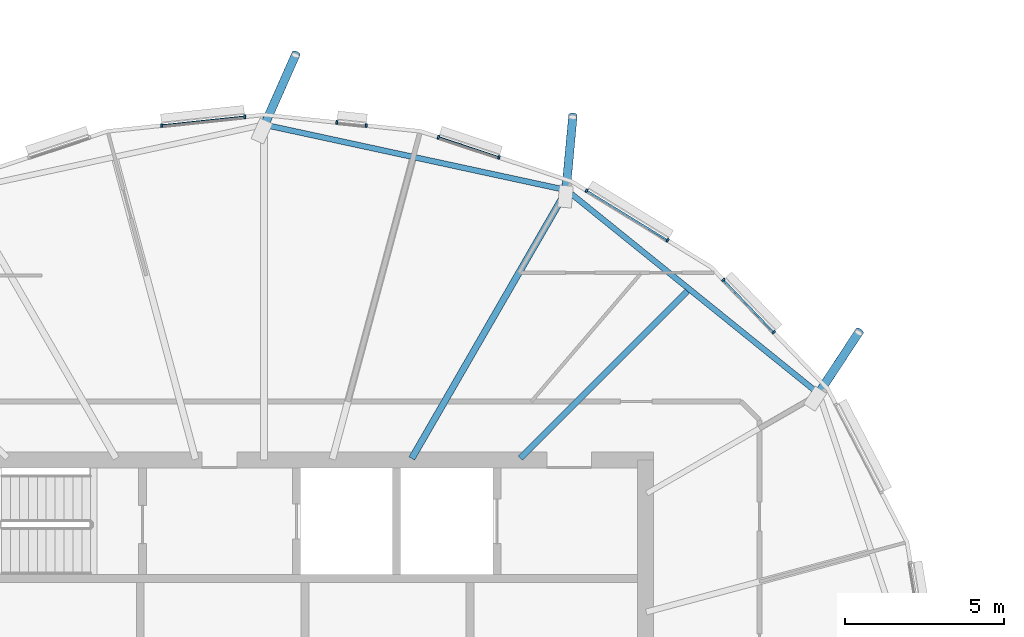
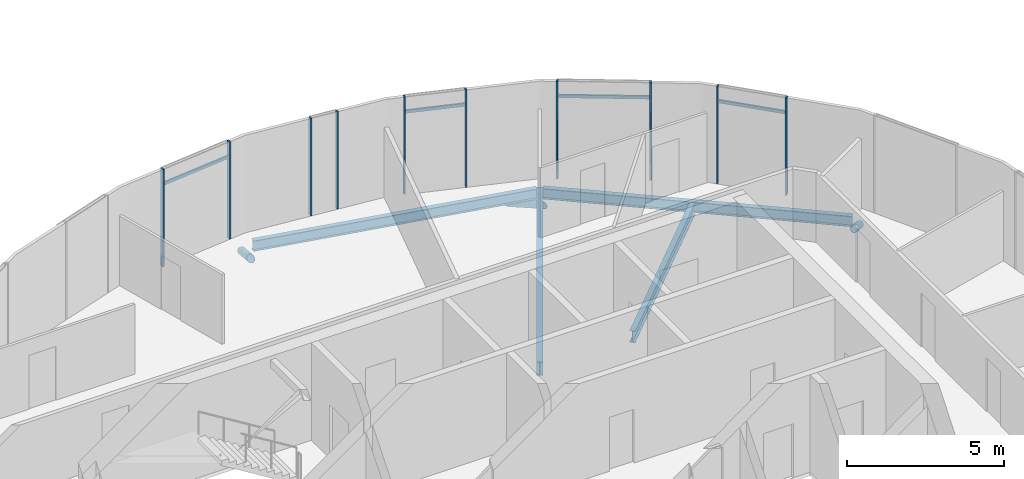
# One storey, part 8 of 41: 17 members, 4 beams, 1 element without a shape of its own.
"""IFC4 building model written with IfcOpenShell, lengths in metres."""

from ifc_helpers import new_model, si_unit, direction, frame, origin, origin_2d, place, context, subcontext, project, spatial, rectangle, hollow_circle, i_section, extrude, clip, halfspace, material, material_profile, profile_set, type_object, element, aggregate, save


model = new_model("IFC4")

# Units and contexts
model_context = context("Model", 3, precision=1e-05, world=origin(), true_north=direction((0.0, 1.0)))
body_context = subcontext(model_context, "Body", "Model", "MODEL_VIEW")
ifc_project = project(units=[si_unit("LENGTHUNIT", "METRE"), si_unit("AREAUNIT", "SQUARE_METRE"), si_unit("VOLUMEUNIT", "CUBIC_METRE"), si_unit("PLANEANGLEUNIT", "RADIAN"), si_unit("MASSUNIT", "GRAM", prefix="KILO")], contexts=[model_context])

# Site, building, storey
site_placement = place(None, origin())
site = spatial("IfcSite", under=ifc_project, at=site_placement, CompositionType="ELEMENT")
building_placement = place(site_placement, origin())
building = spatial("IfcBuilding", under=site, at=building_placement, Name="Rimbun Link Towers", CompositionType="ELEMENT")
storey_placement = place(building_placement, frame((0.0, 0.0, 210.5)))
storey = spatial("IfcBuildingStorey", under=building, at=storey_placement, Name="L51", CompositionType="ELEMENT", Elevation=210.5)

# Curtain wall, members
ifc_material_1 = material(Name="Aluminium 6063-T6 and low-iron glass", Category="aluminium")
curtain_wall_type = type_object("IfcCurtainWallType", Name="CW1-Z4 unitised vision wall (zone 4)", PredefinedType="NOTDEFINED", material=ifc_material_1)
curtain_wall_placement = place(storey_placement, origin())
curtain_wall = element("IfcCurtainWall", 1, at=curtain_wall_placement, inside=storey, type_object=curtain_wall_type, Name="CW1 L51 T1", PredefinedType="NOTDEFINED")
ifc_material_2 = material(Name="Aluminium 6063-T6", Category="aluminium")
ifc_material_profile_1 = material_profile(ifc_material_2, rectangle(XDim=0.1201171875, YDim=0.06005859375, at=origin_2d()), Name="MULLION 60X120")
ifc_profile_set_1 = profile_set([ifc_material_profile_1], Name="Aluminium 6063-T6")
member_type_1 = type_object("IfcMemberType", Name="CW1 mullion 60X120", PredefinedType="MULLION", material=ifc_profile_set_1)
member_1_placement = place(storey_placement, frame((-17.299560546875, 13.6708984375, 0.0), z_axis=(0.0, 0.0, 1.0), x_axis=(0.721846446019, 0.692053255443, 0.0)))
member_1 = element("IfcMember", 2, at=member_1_placement, type_object=member_type_1, Name="CW1 mullion", PredefinedType="MULLION", context=body_context, shape_type="SweptSolid", body=[
    extrude(rectangle(XDim=0.1201171875, YDim=0.06005859375, at=origin_2d()), origin(), (0.0, 0.0, 1.0), 3.800048828125),
])
member_2_placement = place(storey_placement, frame((-15.71728515625, 12.0205078125, 0.0), z_axis=(0.0, 0.0, 1.0), x_axis=(0.721846446019, 0.692053255443, 0.0)))
member_2 = element("IfcMember", 3, at=member_2_placement, type_object=member_type_1, Name="CW1 mullion", PredefinedType="MULLION", context=body_context, shape_type="SweptSolid", body=[
    extrude(rectangle(XDim=0.1201171875, YDim=0.06005859375, at=origin_2d()), origin(), (0.0, 0.0, 1.0), 3.800048828125),
])
member_3_placement = place(storey_placement, frame((-21.60009765625, 16.47705078125, 0.0), z_axis=(0.0, 0.0, 1.0), x_axis=(0.523242195727, 0.852184020392, 0.0)))
member_3 = element("IfcMember", 4, at=member_3_placement, type_object=member_type_1, Name="CW1 mullion", PredefinedType="MULLION", context=body_context, shape_type="SweptSolid", body=[
    extrude(rectangle(XDim=0.1201171875, YDim=0.06005859375, at=origin_2d()), origin(), (0.0, 0.0, 1.0), 3.800048828125),
])
member_4_placement = place(storey_placement, frame((-19.0556640625, 14.914794921875, 0.0), z_axis=(0.0, 0.0, 1.0), x_axis=(0.523242195727, 0.852184020392, 0.0)))
member_4 = element("IfcMember", 5, at=member_4_placement, type_object=member_type_1, Name="CW1 mullion", PredefinedType="MULLION", context=body_context, shape_type="SweptSolid", body=[
    extrude(rectangle(XDim=0.1201171875, YDim=0.06005859375, at=origin_2d()), origin(), (0.0, 0.0, 1.0), 3.800048828125),
])
member_5_placement = place(storey_placement, frame((-26.261474609375, 18.156005859375, 0.0), z_axis=(0.0, 0.0, 1.0), x_axis=(0.314578449635, 0.949231478105, 0.0)))
member_5 = element("IfcMember", 6, at=member_5_placement, type_object=member_type_1, Name="CW1 mullion", PredefinedType="MULLION", context=body_context, shape_type="SweptSolid", body=[
    extrude(rectangle(XDim=0.1201171875, YDim=0.06005859375, at=origin_2d()), origin(), (0.0, 0.0, 1.0), 3.800048828125),
])
member_6_placement = place(storey_placement, frame((-24.359619140625, 17.525634765625, 0.0), z_axis=(0.0, 0.0, 1.0), x_axis=(0.314578449635, 0.949231478105, 0.0)))
member_6 = element("IfcMember", 7, at=member_6_placement, type_object=member_type_1, Name="CW1 mullion", PredefinedType="MULLION", context=body_context, shape_type="SweptSolid", body=[
    extrude(rectangle(XDim=0.1201171875, YDim=0.06005859375, at=origin_2d()), origin(), (0.0, 0.0, 1.0), 3.800048828125),
])
member_7_placement = place(storey_placement, frame((-29.456298828125, 18.62255859375, 0.0), z_axis=(0.0, 0.0, 1.0), x_axis=(0.104722816932, 0.994501448774, 0.0)))
member_7 = element("IfcMember", 8, at=member_7_placement, type_object=member_type_1, Name="CW1 mullion", PredefinedType="MULLION", context=body_context, shape_type="SweptSolid", body=[
    extrude(rectangle(XDim=0.1201171875, YDim=0.06005859375, at=origin_2d()), origin(), (0.0, 0.0, 1.0), 3.800048828125),
])
member_8_placement = place(storey_placement, frame((-28.5341796875, 18.525390625, 0.0), z_axis=(0.0, 0.0, 1.0), x_axis=(0.104722816932, 0.994501448774, 0.0)))
member_8 = element("IfcMember", 9, at=member_8_placement, type_object=member_type_1, Name="CW1 mullion", PredefinedType="MULLION", context=body_context, shape_type="SweptSolid", body=[
    extrude(rectangle(XDim=0.1201171875, YDim=0.06005859375, at=origin_2d()), origin(), (0.0, 0.0, 1.0), 3.800048828125),
])
member_9_placement = place(storey_placement, frame((-34.9658203125, 18.525390625, 0.0), z_axis=(0.0, 0.0, 1.0), x_axis=(-0.104722816932, 0.994501448774, 0.0)))
member_9 = element("IfcMember", 10, at=member_9_placement, type_object=member_type_1, Name="CW1 mullion", PredefinedType="MULLION", context=body_context, shape_type="SweptSolid", body=[
    extrude(rectangle(XDim=0.1201171875, YDim=0.06005859375, at=origin_2d()), origin(), (0.0, 0.0, 1.0), 3.800048828125),
])
member_10_placement = place(storey_placement, frame((-32.35302734375, 18.800537109375, 0.0), z_axis=(0.0, 0.0, 1.0), x_axis=(-0.104722816932, 0.994501448774, 0.0)))
member_10 = element("IfcMember", 11, at=member_10_placement, type_object=member_type_1, Name="CW1 mullion", PredefinedType="MULLION", context=body_context, shape_type="SweptSolid", body=[
    extrude(rectangle(XDim=0.1201171875, YDim=0.06005859375, at=origin_2d()), origin(), (0.0, 0.0, 1.0), 3.800048828125),
])
ifc_material_3 = material(Name="Aluminium 6063-T6", Category="aluminium")
ifc_material_profile_2 = material_profile(ifc_material_3, rectangle(XDim=0.06005859375, YDim=0.1201171875, at=origin_2d()), Name="TRANSOM 60X120")
ifc_profile_set_2 = profile_set([ifc_material_profile_2], Name="Aluminium 6063-T6")
member_type_2 = type_object("IfcMemberType", Name="CW1 transom 60X120", PredefinedType="USERDEFINED", material=ifc_profile_set_2)
member_11_placement = place(storey_placement, frame((-17.2802734375, 13.64794921875, 3.199951171875), z_axis=(0.692036343125, -0.721862659925, 0.0), x_axis=(0.721862659925, 0.692036343125, 0.0)))
member_11 = element("IfcMember", 12, at=member_11_placement, type_object=member_type_2, Name="CW1 transom", ObjectType="TRANSOM", PredefinedType="USERDEFINED", context=body_context, shape_type="SweptSolid", body=[
    extrude(rectangle(XDim=0.06005859375, YDim=0.1201171875, at=origin_2d()), origin(), (0.0, 0.0, 1.0), 2.226318359375),
])
member_12_placement = place(storey_placement, frame((-21.57568359375, 16.459716796875, 3.199951171875), z_axis=(0.852176447693, -0.523254528883, 0.0), x_axis=(0.523254528883, 0.852176447693, 0.0)))
member_12 = element("IfcMember", 13, at=member_12_placement, type_object=member_type_2, Name="CW1 transom", ObjectType="TRANSOM", PredefinedType="USERDEFINED", context=body_context, shape_type="SweptSolid", body=[
    extrude(rectangle(XDim=0.06005859375, YDim=0.1201171875, at=origin_2d()), origin(), (0.0, 0.0, 1.0), 2.926025390625),
])
member_13_placement = place(storey_placement, frame((-26.233642578125, 18.14453125, 3.199951171875), z_axis=(0.949247034783, -0.314531503916, 0.0), x_axis=(0.314531503916, 0.949247034783, 0.0)))
member_13 = element("IfcMember", 14, at=member_13_placement, type_object=member_type_2, Name="CW1 transom", ObjectType="TRANSOM", PredefinedType="USERDEFINED", context=body_context, shape_type="SweptSolid", body=[
    extrude(rectangle(XDim=0.06005859375, YDim=0.1201171875, at=origin_2d()), origin(), (0.0, 0.0, 1.0), 1.943603515625),
])
member_14_placement = place(storey_placement, frame((-34.935791015625, 18.526611328125, 3.199951171875), z_axis=(0.994503889604, 0.104699634964, 0.0), x_axis=(-0.104699634964, 0.994503889604, 0.0)))
member_14 = element("IfcMember", 15, at=member_14_placement, type_object=member_type_2, Name="CW1 transom", ObjectType="TRANSOM", PredefinedType="USERDEFINED", context=body_context, shape_type="SweptSolid", body=[
    extrude(rectangle(XDim=0.06005859375, YDim=0.1201171875, at=origin_2d()), origin(), (0.0, 0.0, 1.0), 2.5673828125),
])
aggregate(curtain_wall, [member_1, member_2, member_3, member_4, member_5, member_6, member_7, member_8, member_9, member_10, member_11, member_12, member_13, member_14])

# Members
ifc_material_4 = material(Name="Steel S355J2H", Category="steel")
ifc_material_profile_3 = material_profile(ifc_material_4, hollow_circle(Radius=0.136474609375, WallThickness=0.012451171875, at=origin_2d()), Name="CHS 273x12.5")
ifc_profile_set_3 = profile_set([ifc_material_profile_3], Name="Steel S355J2H")
member_type_3 = type_object("IfcMemberType", Name="Floor edge link CHS 273x12.5", PredefinedType="BRACE", material=ifc_profile_set_3)
member_15_placement = place(storey_placement, frame((-14.331298828125, 10.056640625, -0.609619140625), z_axis=(0.46215677219, 0.703002654026, -0.540553777483), x_axis=(-0.835605308617, 0.549330290637, 0.0)))
element("IfcMember", 16, at=member_15_placement, inside=storey, type_object=member_type_3, Name="Floor edge link T1 L51 02", PredefinedType="BRACE", context=body_context, shape_type="Clipping", body=[
    clip(extrude(hollow_circle(Radius=0.136474609375, WallThickness=0.012451171875, at=origin_2d()), frame((0.0, 0.0, -0.443359375)), (0.0, 0.0, 1.0), 3.29296875), halfspace(frame((0.0, 0.0, -0.208251953125), z_axis=(0.0, 0.841309463663, -0.540553777483)), False)),
])
member_16_placement = place(storey_placement, frame((-22.2529296875, 16.44921875, -0.78955078125), z_axis=(0.078910202151, 0.851901029812, -0.517723686344), x_axis=(-0.995737403043, 0.092233530673, 0.0)))
element("IfcMember", 17, at=member_16_placement, inside=storey, type_object=member_type_3, Name="Floor edge link T1 L51 04", PredefinedType="BRACE", context=body_context, shape_type="Clipping", body=[
    clip(extrude(hollow_circle(Radius=0.136474609375, WallThickness=0.012451171875, at=origin_2d()), frame((0.0, 0.0, -0.470458984375)), (0.0, 0.0, 1.0), 3.2890625), halfspace(frame((0.0, 0.0, -0.220947265625), z_axis=(0.0, 0.855547885626, -0.517723686344)), False)),
])
member_17_placement = place(storey_placement, frame((-31.75, 18.502197265625, -0.790771484375), z_axis=(0.349426854252, 0.788949537544, -0.505430015666), x_axis=(-0.914334406986, 0.404959988395, 0.0)))
element("IfcMember", 18, at=member_17_placement, inside=storey, type_object=member_type_3, Name="Floor edge link T1 L51 06", PredefinedType="BRACE", context=body_context, shape_type="Clipping", body=[
    clip(extrude(hollow_circle(Radius=0.136474609375, WallThickness=0.012451171875, at=origin_2d()), frame((0.0, 0.0, -0.48583984375)), (0.0, 0.0, 1.0), 3.382568359375), halfspace(frame((0.0, 0.0, -0.228759765625), z_axis=(0.0, 0.862867602395, -0.505430015666)), False)),
])

# Beams
ifc_material_5 = material(Name="Steel S355J2", Category="steel")
ifc_material_profile_4 = material_profile(ifc_material_5, i_section(OverallWidth=0.177978515625, OverallDepth=0.406494140625, WebThickness=0.0078125, FlangeThickness=0.0126953125, at=origin_2d()), Name="UB 406x178x60")
ifc_profile_set_4 = profile_set([ifc_material_profile_4], Name="Steel S355J2")
beam_type_1 = type_object("IfcBeamType", Name="UB 406x178x60", PredefinedType="BEAM", material=ifc_profile_set_4)
beam_1_placement = place(storey_placement, frame((-14.3603515625, 10.139892578125, -0.34326171875), z_axis=(-0.778027876304, 0.628229753907, 0.0), x_axis=(-0.628229753907, -0.778027876304, 0.0)))
element("IfcBeam", 19, at=beam_1_placement, inside=storey, type_object=beam_type_1, Name="Edge beam T1 L51 02-04", PredefinedType="BEAM", context=body_context, shape_type="SweptSolid", body=[
    extrude(i_section(OverallWidth=0.177978515625, OverallDepth=0.406494140625, WebThickness=0.0078125, FlangeThickness=0.0126953125, at=origin_2d()), origin(), (0.0, 0.0, 1.0), 10.00537109375),
])
beam_2_placement = place(storey_placement, frame((-22.33642578125, 16.51611328125, -0.34326171875), z_axis=(-0.977394267273, 0.211424800582, 0.0), x_axis=(-0.211424800582, -0.977394267273, 0.0)))
element("IfcBeam", 20, at=beam_2_placement, inside=storey, type_object=beam_type_1, Name="Edge beam T1 L51 04-06", PredefinedType="BEAM", context=body_context, shape_type="SweptSolid", body=[
    extrude(i_section(OverallWidth=0.177978515625, OverallDepth=0.406494140625, WebThickness=0.0078125, FlangeThickness=0.0126953125, at=origin_2d()), origin(), (0.0, 0.0, 1.0), 9.523193359375),
])
ifc_material_6 = material(Name="Steel S355J2", Category="steel")
ifc_material_profile_5 = material_profile(ifc_material_6, i_section(OverallWidth=0.18994140625, OverallDepth=0.453369140625, WebThickness=0.008544921875, FlangeThickness=0.0126953125, at=origin_2d()), Name="UB 457x191x67")
ifc_profile_set_5 = profile_set([ifc_material_profile_5], Name="Steel S355J2")
beam_type_2 = type_object("IfcBeamType", Name="UB 457x191x67", PredefinedType="BEAM", material=ifc_profile_set_5)
beam_3_placement = place(storey_placement, frame((-23.68212890625, 8.06787109375, -0.36669921875), z_axis=(0.707106781187, 0.707106781187, 0.0), x_axis=(-0.707106781187, 0.707106781187, 0.0)))
element("IfcBeam", 21, at=beam_3_placement, inside=storey, type_object=beam_type_2, Name="Radial beam T1 L51 03", PredefinedType="BEAM", context=body_context, shape_type="SweptSolid", body=[
    extrude(i_section(OverallWidth=0.18994140625, OverallDepth=0.453369140625, WebThickness=0.008544921875, FlangeThickness=0.0126953125, at=origin_2d()), origin(), (0.0, 0.0, 1.0), 7.420166015625),
])
ifc_material_7 = material(Name="Steel S355J2", Category="steel")
ifc_material_profile_6 = material_profile(ifc_material_7, i_section(OverallWidth=0.209228515625, OverallDepth=0.533203125, WebThickness=0.010009765625, FlangeThickness=0.015625, at=origin_2d()), Name="UB 533x210x92")
ifc_profile_set_6 = profile_set([ifc_material_profile_6], Name="Steel S355J2")
beam_type_3 = type_object("IfcBeamType", Name="UB 533x210x92", PredefinedType="BEAM", material=ifc_profile_set_6)
beam_4_placement = place(storey_placement, frame((-27.1005859375, 8.05322265625, -0.406494140625), z_axis=(0.50000292919, 0.866023712609, 0.0), x_axis=(-0.866023712609, 0.50000292919, 0.0)))
element("IfcBeam", 22, at=beam_4_placement, inside=storey, type_object=beam_type_3, Name="Radial beam T1 L51 04", PredefinedType="BEAM", context=body_context, shape_type="SweptSolid", body=[
    extrude(i_section(OverallWidth=0.209228515625, OverallDepth=0.533203125, WebThickness=0.010009765625, FlangeThickness=0.015625, at=origin_2d()), origin(), (0.0, 0.0, 1.0), 9.7451171875),
])

save(model, "model.ifc")
